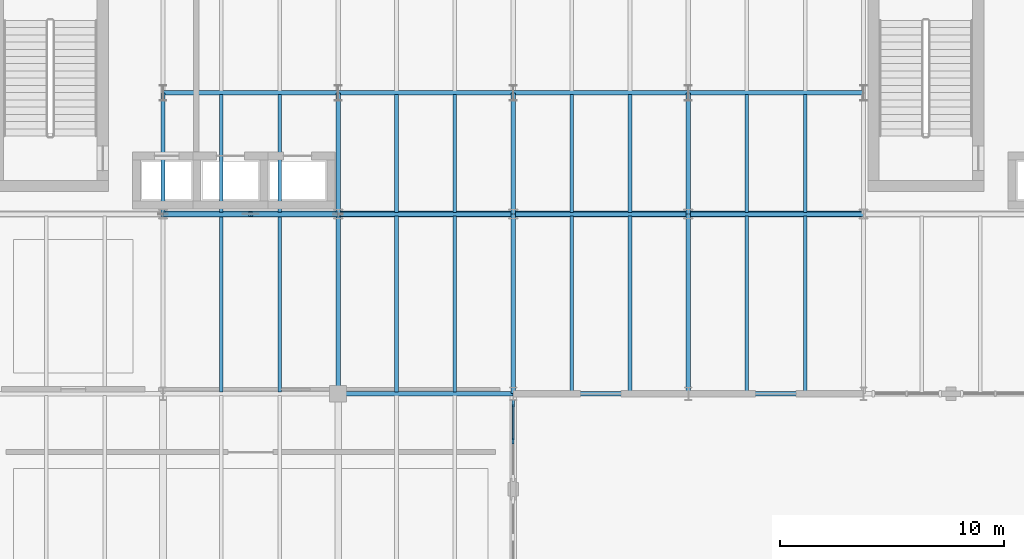
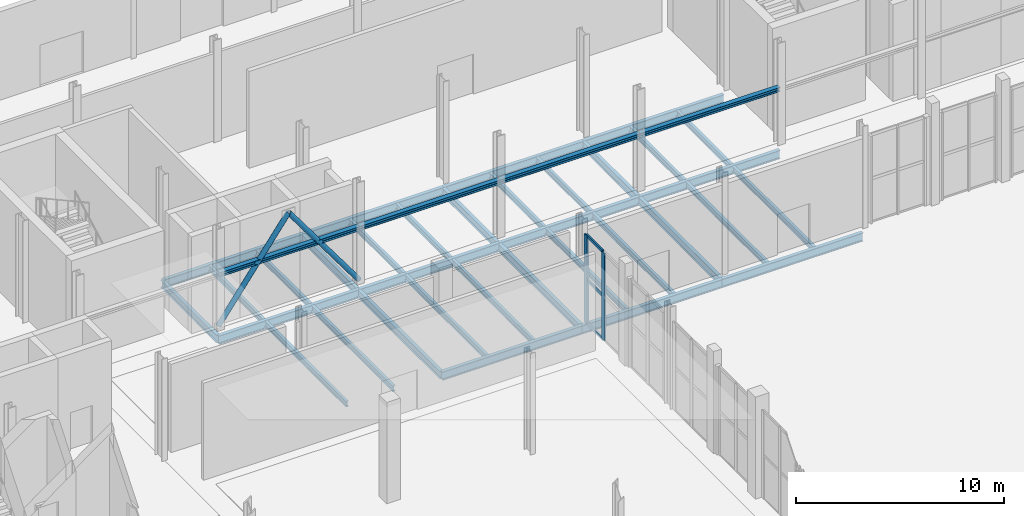
# One storey, part 32 of 84: 38 beams, 7 members, 1 element without a shape of its own.
"""IFC4 building model written with IfcOpenShell, lengths in metres."""

from ifc_helpers import new_model, si_unit, direction, frame, origin, origin_2d, place, context, subcontext, project, spatial, rectangle, hollow_circle, i_section, extrude, material, layer, layer_set, material_profile, profile_set, type_object, element, aggregate, save


model = new_model("IFC4")

# Units and contexts
model_context = context("Model", 3, precision=1e-05, world=origin(), true_north=direction((0.0, 1.0)))
body_context = subcontext(model_context, "Body", "Model", "MODEL_VIEW")
ifc_project = project(units=[si_unit("LENGTHUNIT", "METRE"), si_unit("AREAUNIT", "SQUARE_METRE"), si_unit("VOLUMEUNIT", "CUBIC_METRE"), si_unit("PLANEANGLEUNIT", "RADIAN"), si_unit("MASSUNIT", "GRAM", prefix="KILO")], contexts=[model_context])

# Site, building, storey
site_placement = place(None, origin())
site = spatial("IfcSite", under=ifc_project, at=site_placement, CompositionType="ELEMENT")
building_placement = place(site_placement, origin())
building = spatial("IfcBuilding", under=site, at=building_placement, Name="Sefraquen Railside Congress Hotel", CompositionType="ELEMENT")
storey_placement = place(building_placement, origin())
storey = spatial("IfcBuildingStorey", under=building, at=storey_placement, Name="L00", CompositionType="ELEMENT", Elevation=0.0)

# Beams
ifc_material_1 = material(Name="Steel S355JR", Category="steel")
ifc_material_profile_1 = material_profile(ifc_material_1, i_section(OverallWidth=0.18994140625, OverallDepth=0.449951171875, WebThickness=0.009521484375, FlangeThickness=0.0146484375, FilletRadius=0.02099609375, at=origin_2d()), Name="IPE 450")
ifc_profile_set_1 = profile_set([ifc_material_profile_1], Name="Steel S355JR")
beam_type_1 = type_object("IfcBeamType", Name="TB-BM-450", PredefinedType="BEAM", material=ifc_profile_set_1)
beam_1_placement = place(storey_placement, frame((33.0, 96.0, -0.625), z_axis=(0.0, 1.0, 0.0), x_axis=(-1.0, 0.0, 0.0)))
element("IfcBeam", 1, at=beam_1_placement, inside=storey, type_object=beam_type_1, Name="Floor beam BM-L00-0211", PredefinedType="BEAM", context=body_context, shape_type="SweptSolid", body=[
    extrude(i_section(OverallWidth=0.18994140625, OverallDepth=0.449951171875, WebThickness=0.009521484375, FlangeThickness=0.0146484375, FilletRadius=0.02099609375, at=origin_2d()), origin(), (0.0, 0.0, 1.0), 5.39990234375),
])
beam_2_placement = place(storey_placement, frame((40.800048828125, 88.0, -0.625), z_axis=(0.0, 1.0, 0.0), x_axis=(-1.0, 0.0, 0.0)))
element("IfcBeam", 2, at=beam_2_placement, inside=storey, type_object=beam_type_1, Name="Floor beam BM-L00-0223", PredefinedType="BEAM", context=body_context, shape_type="SweptSolid", body=[
    extrude(i_section(OverallWidth=0.18994140625, OverallDepth=0.449951171875, WebThickness=0.009521484375, FlangeThickness=0.0146484375, FilletRadius=0.02099609375, at=origin_2d()), origin(), (0.0, 0.0, 1.0), 8.0),
])
beam_3_placement = place(storey_placement, frame((40.800048828125, 96.0, -0.625), z_axis=(0.0, 1.0, 0.0), x_axis=(-1.0, 0.0, 0.0)))
element("IfcBeam", 3, at=beam_3_placement, inside=storey, type_object=beam_type_1, Name="Floor beam BM-L00-0224", PredefinedType="BEAM", context=body_context, shape_type="SweptSolid", body=[
    extrude(i_section(OverallWidth=0.18994140625, OverallDepth=0.449951171875, WebThickness=0.009521484375, FlangeThickness=0.0146484375, FilletRadius=0.02099609375, at=origin_2d()), origin(), (0.0, 0.0, 1.0), 5.39990234375),
])
beam_4_placement = place(storey_placement, frame((48.60009765625, 88.0, -0.625), z_axis=(0.0, 1.0, 0.0), x_axis=(-1.0, 0.0, 0.0)))
element("IfcBeam", 4, at=beam_4_placement, inside=storey, type_object=beam_type_1, Name="Floor beam BM-L00-0232", PredefinedType="BEAM", context=body_context, shape_type="SweptSolid", body=[
    extrude(i_section(OverallWidth=0.18994140625, OverallDepth=0.449951171875, WebThickness=0.009521484375, FlangeThickness=0.0146484375, FilletRadius=0.02099609375, at=origin_2d()), origin(), (0.0, 0.0, 1.0), 8.0),
])
beam_5_placement = place(storey_placement, frame((48.60009765625, 96.0, -0.625), z_axis=(0.0, 1.0, 0.0), x_axis=(-1.0, 0.0, 0.0)))
element("IfcBeam", 5, at=beam_5_placement, inside=storey, type_object=beam_type_1, Name="Floor beam BM-L00-0233", PredefinedType="BEAM", context=body_context, shape_type="SweptSolid", body=[
    extrude(i_section(OverallWidth=0.18994140625, OverallDepth=0.449951171875, WebThickness=0.009521484375, FlangeThickness=0.0146484375, FilletRadius=0.02099609375, at=origin_2d()), origin(), (0.0, 0.0, 1.0), 5.39990234375),
])
beam_6_placement = place(storey_placement, frame((56.39990234375, 88.0, -0.625), z_axis=(0.0, 1.0, 0.0), x_axis=(-1.0, 0.0, 0.0)))
element("IfcBeam", 6, at=beam_6_placement, inside=storey, type_object=beam_type_1, Name="Floor beam BM-L00-0236", PredefinedType="BEAM", context=body_context, shape_type="SweptSolid", body=[
    extrude(i_section(OverallWidth=0.18994140625, OverallDepth=0.449951171875, WebThickness=0.009521484375, FlangeThickness=0.0146484375, FilletRadius=0.02099609375, at=origin_2d()), origin(), (0.0, 0.0, 1.0), 8.0),
])
beam_7_placement = place(storey_placement, frame((56.39990234375, 96.0, -0.625), z_axis=(0.0, 1.0, 0.0), x_axis=(-1.0, 0.0, 0.0)))
element("IfcBeam", 7, at=beam_7_placement, inside=storey, type_object=beam_type_1, Name="Floor beam BM-L00-0237", PredefinedType="BEAM", context=body_context, shape_type="SweptSolid", body=[
    extrude(i_section(OverallWidth=0.18994140625, OverallDepth=0.449951171875, WebThickness=0.009521484375, FlangeThickness=0.0146484375, FilletRadius=0.02099609375, at=origin_2d()), origin(), (0.0, 0.0, 1.0), 5.39990234375),
])
ifc_material_profile_2 = material_profile(ifc_material_1, i_section(OverallWidth=0.199951171875, OverallDepth=0.5, WebThickness=0.01025390625, FlangeThickness=0.01611328125, FilletRadius=0.02099609375, at=origin_2d()), Name="IPE 500")
ifc_profile_set_2 = profile_set([ifc_material_profile_2], Name="Steel S355JR")
beam_type_2 = type_object("IfcBeamType", Name="TB-BM-500", PredefinedType="BEAM", material=ifc_profile_set_2)
beam_8_placement = place(storey_placement, frame((40.800048828125, 88.0, -0.64990234375), z_axis=(1.0, 0.0, 0.0), x_axis=(0.0, 1.0, 0.0)))
element("IfcBeam", 8, at=beam_8_placement, inside=storey, type_object=beam_type_2, Name="Primary girder BM-L00-0103", PredefinedType="BEAM", context=body_context, shape_type="SweptSolid", body=[
    extrude(i_section(OverallWidth=0.199951171875, OverallDepth=0.5, WebThickness=0.01025390625, FlangeThickness=0.01611328125, FilletRadius=0.02099609375, at=origin_2d()), origin(), (0.0, 0.0, 1.0), 7.800048828125),
])
beam_9_placement = place(storey_placement, frame((48.60009765625, 88.0, -0.64990234375), z_axis=(1.0, 0.0, 0.0), x_axis=(0.0, 1.0, 0.0)))
element("IfcBeam", 9, at=beam_9_placement, inside=storey, type_object=beam_type_2, Name="Primary girder BM-L00-0104", PredefinedType="BEAM", context=body_context, shape_type="SweptSolid", body=[
    extrude(i_section(OverallWidth=0.199951171875, OverallDepth=0.5, WebThickness=0.01025390625, FlangeThickness=0.01611328125, FilletRadius=0.02099609375, at=origin_2d()), origin(), (0.0, 0.0, 1.0), 7.7998046875),
])
for number, where, z_axis, x_axis, name in (
    (10, (56.39990234375, 88.0, -0.64990234375), (1.0, 0.0, 0.0), (0.0, 1.0, 0.0), "Primary girder BM-L00-0105"),
    (11, (33.0, 96.0, -0.64990234375), (1.0, 0.0, 0.0), (0.0, 1.0, 0.0), "Primary girder BM-L00-0118"),
    (12, (40.800048828125, 96.0, -0.64990234375), (1.0, 0.0, 0.0), (0.0, 1.0, 0.0), "Primary girder BM-L00-0119"),
):
    element("IfcBeam", number, at=place(storey_placement, frame(where, z_axis=z_axis, x_axis=x_axis)), inside=storey, type_object=beam_type_2, Name=name, PredefinedType="BEAM", context=body_context, shape_type="SweptSolid", body=[
        extrude(i_section(OverallWidth=0.199951171875, OverallDepth=0.5, WebThickness=0.01025390625, FlangeThickness=0.01611328125, FilletRadius=0.02099609375, at=origin_2d()), origin(), (0.0, 0.0, 1.0), 7.800048828125),
    ])
beam_10_placement = place(storey_placement, frame((48.60009765625, 96.0, -0.64990234375), z_axis=(1.0, 0.0, 0.0), x_axis=(0.0, 1.0, 0.0)))
element("IfcBeam", 13, at=beam_10_placement, inside=storey, type_object=beam_type_2, Name="Primary girder BM-L00-0120", PredefinedType="BEAM", context=body_context, shape_type="SweptSolid", body=[
    extrude(i_section(OverallWidth=0.199951171875, OverallDepth=0.5, WebThickness=0.01025390625, FlangeThickness=0.01611328125, FilletRadius=0.02099609375, at=origin_2d()), origin(), (0.0, 0.0, 1.0), 7.7998046875),
])
for number, where, z_axis, x_axis, name in (
    (14, (56.39990234375, 96.0, -0.64990234375), (1.0, 0.0, 0.0), (0.0, 1.0, 0.0), "Primary girder BM-L00-0121"),
    (15, (33.0, 101.39990234375, -0.64990234375), (1.0, 0.0, 0.0), (0.0, 1.0, 0.0), "Primary girder BM-L00-0137"),
    (16, (40.800048828125, 101.39990234375, -0.64990234375), (1.0, 0.0, 0.0), (0.0, 1.0, 0.0), "Primary girder BM-L00-0138"),
):
    element("IfcBeam", number, at=place(storey_placement, frame(where, z_axis=z_axis, x_axis=x_axis)), inside=storey, type_object=beam_type_2, Name=name, PredefinedType="BEAM", context=body_context, shape_type="SweptSolid", body=[
        extrude(i_section(OverallWidth=0.199951171875, OverallDepth=0.5, WebThickness=0.01025390625, FlangeThickness=0.01611328125, FilletRadius=0.02099609375, at=origin_2d()), origin(), (0.0, 0.0, 1.0), 7.800048828125),
    ])
beam_11_placement = place(storey_placement, frame((48.60009765625, 101.39990234375, -0.64990234375), z_axis=(1.0, 0.0, 0.0), x_axis=(0.0, 1.0, 0.0)))
element("IfcBeam", 17, at=beam_11_placement, inside=storey, type_object=beam_type_2, Name="Primary girder BM-L00-0139", PredefinedType="BEAM", context=body_context, shape_type="SweptSolid", body=[
    extrude(i_section(OverallWidth=0.199951171875, OverallDepth=0.5, WebThickness=0.01025390625, FlangeThickness=0.01611328125, FilletRadius=0.02099609375, at=origin_2d()), origin(), (0.0, 0.0, 1.0), 7.7998046875),
])
beam_12_placement = place(storey_placement, frame((56.39990234375, 101.39990234375, -0.64990234375), z_axis=(1.0, 0.0, 0.0), x_axis=(0.0, 1.0, 0.0)))
element("IfcBeam", 18, at=beam_12_placement, inside=storey, type_object=beam_type_2, Name="Primary girder BM-L00-0140", PredefinedType="BEAM", context=body_context, shape_type="SweptSolid", body=[
    extrude(i_section(OverallWidth=0.199951171875, OverallDepth=0.5, WebThickness=0.01025390625, FlangeThickness=0.01611328125, FilletRadius=0.02099609375, at=origin_2d()), origin(), (0.0, 0.0, 1.0), 7.800048828125),
])
ifc_material_profile_3 = material_profile(ifc_material_1, i_section(OverallWidth=0.159912109375, OverallDepth=0.330078125, WebThickness=0.007568359375, FlangeThickness=0.011474609375, FilletRadius=0.01806640625, at=origin_2d()), Name="IPE 330")
ifc_profile_set_3 = profile_set([ifc_material_profile_3], Name="Steel S355JR")
beam_type_3 = type_object("IfcBeamType", Name="TB-JST-330", PredefinedType="JOIST", material=ifc_profile_set_3)
for number, where, z_axis, x_axis, name in (
    (19, (35.60009765625, 88.080078125, -0.56494140625), (0.0, 1.0, 0.0), (-1.0, 0.0, 0.0), "Composite floor joist BM-L00-J0062"),
    (20, (38.199951171875, 88.080078125, -0.56494140625), (0.0, 1.0, 0.0), (-1.0, 0.0, 0.0), "Composite floor joist BM-L00-J0063"),
):
    element("IfcBeam", number, at=place(storey_placement, frame(where, z_axis=z_axis, x_axis=x_axis)), inside=storey, type_object=beam_type_3, Name=name, PredefinedType="JOIST", context=body_context, shape_type="SweptSolid", body=[
        extrude(i_section(OverallWidth=0.159912109375, OverallDepth=0.330078125, WebThickness=0.007568359375, FlangeThickness=0.011474609375, FilletRadius=0.01806640625, at=origin_2d()), origin(), (0.0, 0.0, 1.0), 7.83984375),
    ])
for number, where, z_axis, x_axis, name in (
    (21, (35.60009765625, 96.080078125, -0.56494140625), (0.0, 1.0, 0.0), (-1.0, 0.0, 0.0), "Composite floor joist BM-L00-J0064"),
    (22, (38.199951171875, 96.080078125, -0.56494140625), (0.0, 1.0, 0.0), (-1.0, 0.0, 0.0), "Composite floor joist BM-L00-J0065"),
):
    element("IfcBeam", number, at=place(storey_placement, frame(where, z_axis=z_axis, x_axis=x_axis)), inside=storey, type_object=beam_type_3, Name=name, PredefinedType="JOIST", context=body_context, shape_type="SweptSolid", body=[
        extrude(i_section(OverallWidth=0.159912109375, OverallDepth=0.330078125, WebThickness=0.007568359375, FlangeThickness=0.011474609375, FilletRadius=0.01806640625, at=origin_2d()), origin(), (0.0, 0.0, 1.0), 5.239990234375),
    ])
for number, where, z_axis, x_axis, name in (
    (23, (43.39990234375, 88.080078125, -0.56494140625), (0.0, 1.0, 0.0), (-1.0, 0.0, 0.0), "Composite floor joist BM-L00-J0080"),
    (24, (46.0, 88.080078125, -0.56494140625), (0.0, 1.0, 0.0), (-1.0, 0.0, 0.0), "Composite floor joist BM-L00-J0081"),
):
    element("IfcBeam", number, at=place(storey_placement, frame(where, z_axis=z_axis, x_axis=x_axis)), inside=storey, type_object=beam_type_3, Name=name, PredefinedType="JOIST", context=body_context, shape_type="SweptSolid", body=[
        extrude(i_section(OverallWidth=0.159912109375, OverallDepth=0.330078125, WebThickness=0.007568359375, FlangeThickness=0.011474609375, FilletRadius=0.01806640625, at=origin_2d()), origin(), (0.0, 0.0, 1.0), 7.83984375),
    ])
for number, where, z_axis, x_axis, name in (
    (25, (43.39990234375, 96.080078125, -0.56494140625), (0.0, 1.0, 0.0), (-1.0, 0.0, 0.0), "Composite floor joist BM-L00-J0082"),
    (26, (46.0, 96.080078125, -0.56494140625), (0.0, 1.0, 0.0), (-1.0, 0.0, 0.0), "Composite floor joist BM-L00-J0083"),
):
    element("IfcBeam", number, at=place(storey_placement, frame(where, z_axis=z_axis, x_axis=x_axis)), inside=storey, type_object=beam_type_3, Name=name, PredefinedType="JOIST", context=body_context, shape_type="SweptSolid", body=[
        extrude(i_section(OverallWidth=0.159912109375, OverallDepth=0.330078125, WebThickness=0.007568359375, FlangeThickness=0.011474609375, FilletRadius=0.01806640625, at=origin_2d()), origin(), (0.0, 0.0, 1.0), 5.239990234375),
    ])
for number, where, z_axis, x_axis, name in (
    (27, (51.199951171875, 88.080078125, -0.56494140625), (0.0, 1.0, 0.0), (-1.0, 0.0, 0.0), "Composite floor joist BM-L00-J0088"),
    (28, (53.800048828125, 88.080078125, -0.56494140625), (0.0, 1.0, 0.0), (-1.0, 0.0, 0.0), "Composite floor joist BM-L00-J0089"),
):
    element("IfcBeam", number, at=place(storey_placement, frame(where, z_axis=z_axis, x_axis=x_axis)), inside=storey, type_object=beam_type_3, Name=name, PredefinedType="JOIST", context=body_context, shape_type="SweptSolid", body=[
        extrude(i_section(OverallWidth=0.159912109375, OverallDepth=0.330078125, WebThickness=0.007568359375, FlangeThickness=0.011474609375, FilletRadius=0.01806640625, at=origin_2d()), origin(), (0.0, 0.0, 1.0), 7.83984375),
    ])
for number, where, z_axis, x_axis, name in (
    (29, (51.199951171875, 96.080078125, -0.56494140625), (0.0, 1.0, 0.0), (-1.0, 0.0, 0.0), "Composite floor joist BM-L00-J0090"),
    (30, (53.800048828125, 96.080078125, -0.56494140625), (0.0, 1.0, 0.0), (-1.0, 0.0, 0.0), "Composite floor joist BM-L00-J0091"),
):
    element("IfcBeam", number, at=place(storey_placement, frame(where, z_axis=z_axis, x_axis=x_axis)), inside=storey, type_object=beam_type_3, Name=name, PredefinedType="JOIST", context=body_context, shape_type="SweptSolid", body=[
        extrude(i_section(OverallWidth=0.159912109375, OverallDepth=0.330078125, WebThickness=0.007568359375, FlangeThickness=0.011474609375, FilletRadius=0.01806640625, at=origin_2d()), origin(), (0.0, 0.0, 1.0), 5.239990234375),
    ])
for number, where, z_axis, x_axis, name in (
    (31, (59.0, 88.080078125, -0.56494140625), (0.0, 1.0, 0.0), (-1.0, 0.0, 0.0), "Composite floor joist BM-L00-J0096"),
    (32, (61.60009765625, 88.080078125, -0.56494140625), (0.0, 1.0, 0.0), (-1.0, 0.0, 0.0), "Composite floor joist BM-L00-J0097"),
):
    element("IfcBeam", number, at=place(storey_placement, frame(where, z_axis=z_axis, x_axis=x_axis)), inside=storey, type_object=beam_type_3, Name=name, PredefinedType="JOIST", context=body_context, shape_type="SweptSolid", body=[
        extrude(i_section(OverallWidth=0.159912109375, OverallDepth=0.330078125, WebThickness=0.007568359375, FlangeThickness=0.011474609375, FilletRadius=0.01806640625, at=origin_2d()), origin(), (0.0, 0.0, 1.0), 7.83984375),
    ])
for number, where, z_axis, x_axis, name in (
    (33, (59.0, 96.080078125, -0.56494140625), (0.0, 1.0, 0.0), (-1.0, 0.0, 0.0), "Composite floor joist BM-L00-J0098"),
    (34, (61.60009765625, 96.080078125, -0.56494140625), (0.0, 1.0, 0.0), (-1.0, 0.0, 0.0), "Composite floor joist BM-L00-J0099"),
):
    element("IfcBeam", number, at=place(storey_placement, frame(where, z_axis=z_axis, x_axis=x_axis)), inside=storey, type_object=beam_type_3, Name=name, PredefinedType="JOIST", context=body_context, shape_type="SweptSolid", body=[
        extrude(i_section(OverallWidth=0.159912109375, OverallDepth=0.330078125, WebThickness=0.007568359375, FlangeThickness=0.011474609375, FilletRadius=0.01806640625, at=origin_2d()), origin(), (0.0, 0.0, 1.0), 5.239990234375),
    ])
ifc_material_profile_4 = material_profile(ifc_material_1, i_section(OverallWidth=0.260009765625, OverallDepth=0.25, WebThickness=0.007568359375, FlangeThickness=0.012451171875, FilletRadius=0.02392578125, at=origin_2d()), Name="HEA 260")
ifc_profile_set_4 = profile_set([ifc_material_profile_4], Name="Steel S355JR")
beam_type_4 = type_object("IfcBeamType", Name="TB-LNT-260", PredefinedType="LINTEL", material=ifc_profile_set_4)
for number, where, z_axis, x_axis, name in (
    (35, (33.0, 96.0, 3.199951171875), (1.0, 0.0, 0.0), (0.0, 1.0, 0.0), "Portal opening lintel beam 02"),
    (36, (40.800048828125, 96.0, 3.199951171875), (1.0, 0.0, 0.0), (0.0, 1.0, 0.0), "Portal opening lintel beam 03"),
):
    element("IfcBeam", number, at=place(storey_placement, frame(where, z_axis=z_axis, x_axis=x_axis)), inside=storey, type_object=beam_type_4, Name=name, PredefinedType="LINTEL", context=body_context, shape_type="SweptSolid", body=[
        extrude(i_section(OverallWidth=0.260009765625, OverallDepth=0.25, WebThickness=0.007568359375, FlangeThickness=0.012451171875, FilletRadius=0.02392578125, at=origin_2d()), origin(), (0.0, 0.0, 1.0), 7.800048828125),
    ])
beam_13_placement = place(storey_placement, frame((48.60009765625, 96.0, 3.199951171875), z_axis=(1.0, 0.0, 0.0), x_axis=(0.0, 1.0, 0.0)))
element("IfcBeam", 37, at=beam_13_placement, inside=storey, type_object=beam_type_4, Name="Portal opening lintel beam 04", PredefinedType="LINTEL", context=body_context, shape_type="SweptSolid", body=[
    extrude(i_section(OverallWidth=0.260009765625, OverallDepth=0.25, WebThickness=0.007568359375, FlangeThickness=0.012451171875, FilletRadius=0.02392578125, at=origin_2d()), origin(), (0.0, 0.0, 1.0), 7.7998046875),
])
beam_14_placement = place(storey_placement, frame((56.39990234375, 96.0, 3.199951171875), z_axis=(1.0, 0.0, 0.0), x_axis=(0.0, 1.0, 0.0)))
element("IfcBeam", 38, at=beam_14_placement, inside=storey, type_object=beam_type_4, Name="Portal opening lintel beam 05", PredefinedType="LINTEL", context=body_context, shape_type="SweptSolid", body=[
    extrude(i_section(OverallWidth=0.260009765625, OverallDepth=0.25, WebThickness=0.007568359375, FlangeThickness=0.012451171875, FilletRadius=0.02392578125, at=origin_2d()), origin(), (0.0, 0.0, 1.0), 7.800048828125),
])

# Members
ifc_material_2 = material(Name="Steel S355J2", Category="steel")
ifc_material_profile_5 = material_profile(ifc_material_2, hollow_circle(Radius=0.136474609375, WallThickness=0.012451171875, at=origin_2d()), Name="CHS 273x12.5")
ifc_profile_set_5 = profile_set([ifc_material_profile_5], Name="Steel S355J2")
member_type_1 = type_object("IfcMemberType", Name="TM-BR-273", PredefinedType="BRACE", material=ifc_profile_set_5)
for number, where, z_axis, x_axis, name in (
    (39, (33.0, 96.0, 0.14990234375), (0.592667357643, 0.0, 0.805447331105), (0.0, 1.0, 0.0), "Chevron braced-frame diagonal BF1-L L00"),
    (40, (40.800048828125, 96.0, 0.14990234375), (-0.592691426602, 0.0, 0.805429620037), (0.0, -1.0, 0.0), "Chevron braced-frame diagonal BF1-R L00"),
):
    element("IfcMember", number, at=place(storey_placement, frame(where, z_axis=z_axis, x_axis=x_axis)), inside=storey, type_object=member_type_1, Name=name, PredefinedType="BRACE", context=body_context, shape_type="SweptSolid", body=[
        extrude(hollow_circle(Radius=0.136474609375, WallThickness=0.012451171875, at=origin_2d()), origin(), (0.0, 0.0, 1.0), 6.580322265625),
    ])

# Curtain wall, members
ifc_material_3 = material(Name="Thermally broken anodised aluminium and low-E double glazing", Category="aluminium")
ifc_layer = layer(ifc_material_3, 0.199951171875)
ifc_layer_set = layer_set([ifc_layer], Name="Thermally broken anodised aluminium and low-E double glazing")
curtain_wall_type = type_object("IfcCurtainWallType", Name="TCW-UCW-21", PredefinedType="USERDEFINED", material=ifc_layer_set)
curtain_wall_placement = place(storey_placement, origin())
curtain_wall = element("IfcCurtainWall", 41, at=curtain_wall_placement, inside=storey, type_object=curtain_wall_type, Name="Courtyard west arcade curtain wall UCW-21 bay 2", ObjectType="UNITISED CURTAIN WALL", PredefinedType="USERDEFINED")
ifc_material_4 = material(Name="Thermally broken anodised aluminium 6063-T6", Category="aluminium")
ifc_material_profile_6 = material_profile(ifc_material_4, rectangle(XDim=0.090087890625, YDim=0.280029296875, at=origin_2d()), Name="CWM 90x280")
ifc_profile_set_6 = profile_set([ifc_material_profile_6], Name="Thermally broken anodised aluminium 6063-T6")
member_type_2 = type_object("IfcMemberType", Name="TM-CWM-07", PredefinedType="MULLION", material=ifc_profile_set_6)
member_1_placement = place(storey_placement, frame((48.60009765625, 85.89501953125, 0.0), z_axis=(0.0, 0.0, 1.0), x_axis=(1.0, 0.0, 0.0)))
member_1 = element("IfcMember", 42, at=member_1_placement, type_object=member_type_2, Name="CW-L00-021-S2 mullion 2", PredefinedType="MULLION", context=body_context, shape_type="SweptSolid", body=[
    extrude(rectangle(XDim=0.090087890625, YDim=0.280029296875, at=origin_2d()), origin(), (0.0, 0.0, 1.0), 5.14990234375),
])
ifc_material_profile_7 = material_profile(ifc_material_4, rectangle(XDim=0.094970703125, YDim=0.300048828125, at=origin_2d()), Name="CWM 95x300")
ifc_profile_set_7 = profile_set([ifc_material_profile_7], Name="Thermally broken anodised aluminium 6063-T6")
member_type_3 = type_object("IfcMemberType", Name="TM-CWM-08", PredefinedType="MULLION", material=ifc_profile_set_7)
member_2_placement = place(storey_placement, frame((48.60009765625, 87.56005859375, 0.0), z_axis=(0.0, 0.0, 1.0), x_axis=(1.0, 0.0, 0.0)))
member_2 = element("IfcMember", 43, at=member_2_placement, type_object=member_type_3, Name="CW-L00-021-S2 mullion 3", PredefinedType="MULLION", context=body_context, shape_type="SweptSolid", body=[
    extrude(rectangle(XDim=0.094970703125, YDim=0.300048828125, at=origin_2d()), origin(), (0.0, 0.0, 1.0), 5.14990234375),
])
ifc_material_profile_8 = material_profile(ifc_material_4, rectangle(XDim=0.080078125, YDim=0.179931640625, at=origin_2d()), Name="CWT 80x180")
ifc_profile_set_8 = profile_set([ifc_material_profile_8], Name="Thermally broken anodised aluminium 6063-T6")
member_type_4 = type_object("IfcMemberType", Name="TM-CWT-05", PredefinedType="USERDEFINED", material=ifc_profile_set_8)
member_3_placement = place(storey_placement, frame((48.60009765625, 85.93994140625, 0.0), z_axis=(0.0, 1.0, 0.0), x_axis=(-1.0, 0.0, 0.0)))
member_3 = element("IfcMember", 44, at=member_3_placement, type_object=member_type_4, Name="CW-L00-021-S2 transom 1.2", ObjectType="TRANSOM", PredefinedType="USERDEFINED", context=body_context, shape_type="SweptSolid", body=[
    extrude(rectangle(XDim=0.080078125, YDim=0.179931640625, at=origin_2d()), origin(), (0.0, 0.0, 1.0), 1.574951171875),
])
member_4_placement = place(storey_placement, frame((48.60009765625, 85.93994140625, 2.574951171875), z_axis=(0.0, 1.0, 0.0), x_axis=(-1.0, 0.0, 0.0)))
member_4 = element("IfcMember", 45, at=member_4_placement, type_object=member_type_4, Name="CW-L00-021-S2 transom 2.2", ObjectType="TRANSOM", PredefinedType="USERDEFINED", context=body_context, shape_type="SweptSolid", body=[
    extrude(rectangle(XDim=0.080078125, YDim=0.179931640625, at=origin_2d()), origin(), (0.0, 0.0, 1.0), 1.574951171875),
])
member_5_placement = place(storey_placement, frame((48.60009765625, 85.93994140625, 5.14990234375), z_axis=(0.0, 1.0, 0.0), x_axis=(-1.0, 0.0, 0.0)))
member_5 = element("IfcMember", 46, at=member_5_placement, type_object=member_type_4, Name="CW-L00-021-S2 transom 3.2", ObjectType="TRANSOM", PredefinedType="USERDEFINED", context=body_context, shape_type="SweptSolid", body=[
    extrude(rectangle(XDim=0.080078125, YDim=0.179931640625, at=origin_2d()), origin(), (0.0, 0.0, 1.0), 1.574951171875),
])
aggregate(curtain_wall, [member_1, member_2, member_3, member_4, member_5])

save(model, "model.ifc")
